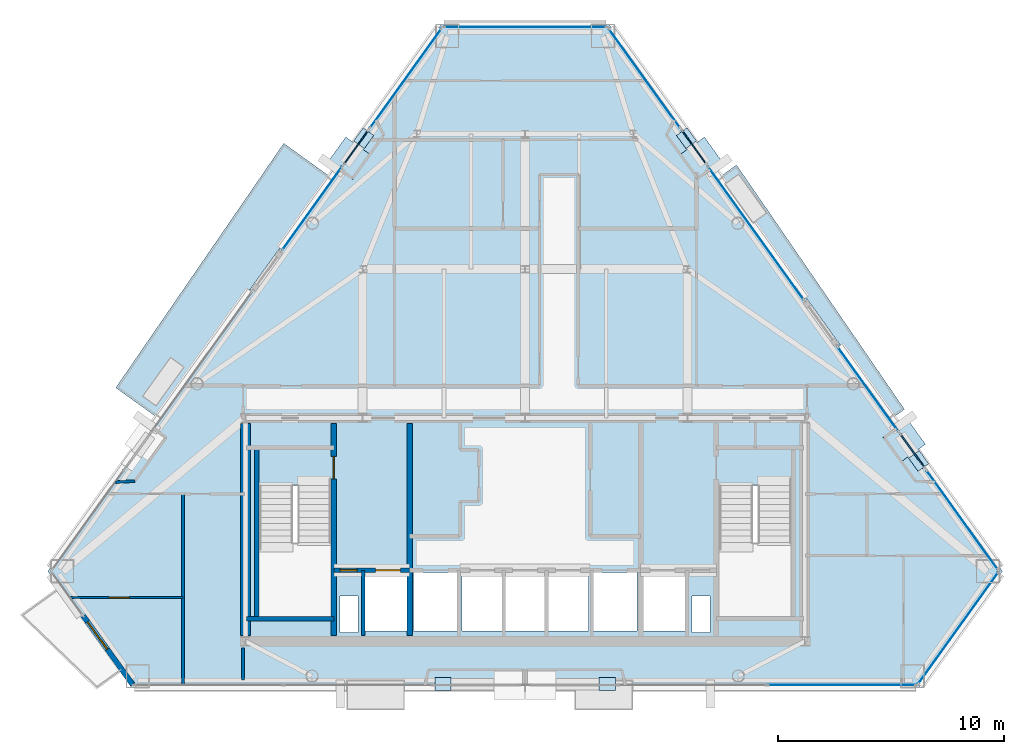
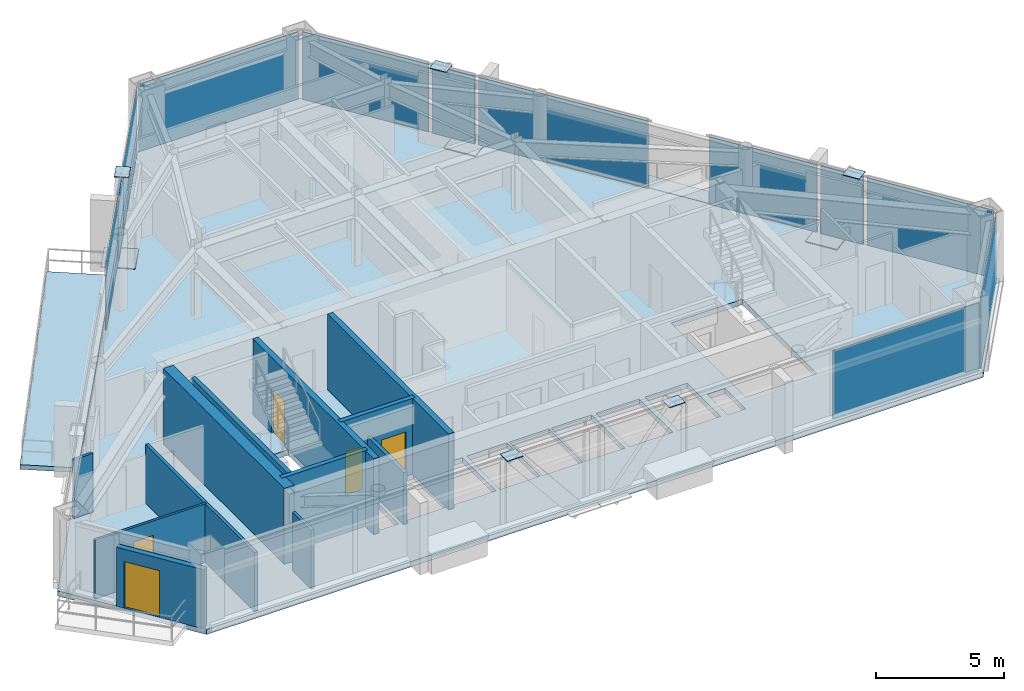
# One storey, part 7 of 12: 20 plates, 12 walls, 5 doors, 3 slabs, 5 openings, 12 elements without a shape of their own.
"""IFC4 building model written with IfcOpenShell, lengths in metres."""

from ifc_helpers import new_model, si_unit, direction, frame, frame_2d, origin, origin_2d, place, context, subcontext, project, spatial, polyline, rectangle, outline, extrude, source, transform, mapped, material, layer, layer_set, type_object, type_shapes, element, fill, aggregate, save


model = new_model("IFC4")

# Units and contexts
model_context = context("Model", 3, precision=1e-05, world=origin(), true_north=direction((0.0, 1.0)))
body_context = subcontext(model_context, "Body", "Model", "MODEL_VIEW")
ifc_project = project(units=[si_unit("LENGTHUNIT", "METRE"), si_unit("AREAUNIT", "SQUARE_METRE"), si_unit("VOLUMEUNIT", "CUBIC_METRE"), si_unit("PLANEANGLEUNIT", "RADIAN"), si_unit("MASSUNIT", "GRAM", prefix="KILO")], contexts=[model_context])

# Site, building, storey
site_placement = place(None, origin())
site = spatial("IfcSite", under=ifc_project, at=site_placement, CompositionType="ELEMENT")
building_placement = place(site_placement, origin())
building = spatial("IfcBuilding", under=site, at=building_placement, Name="Talgorran Terracotta Tower", CompositionType="ELEMENT")
storey_placement = place(building_placement, frame((0.0, 0.0, 189.300048828125)))
storey = spatial("IfcBuildingStorey", under=building, at=storey_placement, Name="L49", CompositionType="ELEMENT", Elevation=189.300048828125)

# Plates
ifc_material_1 = material(Name="Steel Grade 350 (350L0)", Category="steel")
ifc_layer_1 = layer(ifc_material_1, 0.031982421875, Name="PL_CAP_MN07")
ifc_layer_set_1 = layer_set([ifc_layer_1], Name="Steel Grade 350 (350L0)")
plate_type_1 = type_object("IfcPlateType", Name="PL_CAP_MN07", PredefinedType="USERDEFINED", material=ifc_layer_set_1)
for number, where, z_axis, x_axis, name in (
    (1, (-3.646484375, -16.001220703125, 3.32373046875), (0.0, 0.0, 1.0), (-1.0, 0.0, 0.0), "L49 Diagonal Frame End Cap SWF Top"),
    (2, (3.646484375, -16.001220703125, 3.32373046875), (0.0, 0.0, 1.0), (1.0, 0.0, 0.0), "L49 Diagonal Frame End Cap SEF Top"),
    (3, (17.449462890625, -6.1015625, 3.32373046875), (0.0, 0.0, 1.0), (0.583966337286, -0.811777874123, 0.0), "L49 Diagonal Frame End Cap NEL Top"),
    (4, (7.15478515625, 8.208251953125, 3.32373046875), (0.0, 0.0, 1.0), (-0.583966337286, 0.811777874123, 0.0), "L49 Diagonal Frame End Cap NEU Top"),
    (5, (-7.15478515625, 8.208251953125, 3.32373046875), (0.0, 0.0, 1.0), (0.583966337286, 0.811777874123, 0.0), "L49 Diagonal Frame End Cap NWU Top"),
):
    element("IfcPlate", number, at=place(storey_placement, frame(where, z_axis=z_axis, x_axis=x_axis)), inside=storey, type_object=plate_type_1, Name=name, ObjectType="CAP PLATE", PredefinedType="USERDEFINED", context=body_context, shape_type="SweptSolid", body=[
        extrude(rectangle(XDim=0.719970703125, YDim=0.580078125, at=origin_2d()), origin(), (0.0, 0.0, 1.0), 0.031982421875),
    ])
ifc_layer_2 = layer(ifc_material_1, 0.050048828125, Name="PL_NODE_MN03")
ifc_layer_set_2 = layer_set([ifc_layer_2], Name="Steel Grade 350 (350L0)")
plate_type_2 = type_object("IfcPlateType", Name="PL_NODE_MN03", PredefinedType="USERDEFINED", material=ifc_layer_set_2)
for number, where, z_axis, x_axis, name in (
    (6, (16.80810546875, -5.210205078125, -0.01513671875), (0.0, 0.0, 1.0), (0.583966337286, -0.811777874123, 0.0), "L49 Diagonal Frame End Cap NEL Bot"),
    (7, (7.7958984375, 7.31689453125, -0.01513671875), (0.0, 0.0, 1.0), (-0.583966337286, 0.811777874123, 0.0), "L49 Diagonal Frame End Cap NEU Bot"),
    (8, (-7.7958984375, 7.31689453125, -0.01513671875), (0.0, 0.0, 1.0), (0.583966337286, 0.811777874123, 0.0), "L49 Diagonal Frame End Cap NWU Bot"),
):
    element("IfcPlate", number, at=place(storey_placement, frame(where, z_axis=z_axis, x_axis=x_axis)), inside=storey, type_object=plate_type_2, Name=name, ObjectType="NODE PLATE", PredefinedType="USERDEFINED", context=body_context, shape_type="SweptSolid", body=[
        extrude(rectangle(XDim=1.35009765625, YDim=1.35009765625, at=origin_2d()), origin(), (0.0, 0.0, 1.0), 0.050048828125),
    ])

# Slabs
ifc_material_2 = material(Name="Concrete C40/50", Category="concrete")
ifc_layer_3 = layer(ifc_material_2, 0.219970703125, Name="SL_BALCONY_220")
ifc_layer_set_3 = layer_set([ifc_layer_3], Name="Concrete C40/50")
slab_type_1 = type_object("IfcSlabType", Name="SL_BALCONY_220", PredefinedType="FLOOR", material=ifc_layer_set_3)
slab_1_placement = place(storey_placement, frame((0.0, 0.0, -0.219970703125)))
element("IfcSlab", 9, at=slab_1_placement, inside=storey, type_object=slab_type_1, Name="L49 Outdoor Wave Balcony BAL-NE", PredefinedType="FLOOR", context=body_context, shape_type="SweptSolid", body=[
    extrude(outline(polyline([(8.61572265625, 6.477294921875), (16.2919921875, -4.193115234375), (16.819580078125, -3.813720703125), (9.372802734375, 7.02197265625), (8.61572265625, 6.477294921875)])), origin(), (0.0, 0.0, 1.0), 0.219970703125),
])
slab_2_placement = place(storey_placement, frame((0.0, 0.0, -0.219970703125)))
element("IfcSlab", 10, at=slab_2_placement, inside=storey, type_object=slab_type_1, Name="L49 Outdoor Wave Balcony BAL-NW", PredefinedType="FLOOR", context=body_context, shape_type="SweptSolid", body=[
    extrude(outline(polyline([(-16.2919921875, -4.193115234375), (-8.61572265625, 6.477294921875), (-10.7021484375, 7.978271484375), (-18.148681640625, -2.857421875), (-16.2919921875, -4.193115234375)])), origin(), (0.0, 0.0, 1.0), 0.219970703125),
])
ifc_layer_4 = layer(ifc_material_2, 0.25, Name="SL_TOWER_250")
ifc_layer_set_4 = layer_set([ifc_layer_4], Name="Concrete C40/50")
slab_type_2 = type_object("IfcSlabType", Name="SL_TOWER_250", PredefinedType="FLOOR", material=ifc_layer_set_4)
slab_3_placement = place(storey_placement, frame((0.0, 0.0, -0.25)))
element("IfcSlab", 11, at=slab_3_placement, inside=storey, type_object=slab_type_2, Name="Storey L49 Structural Floor Slab", PredefinedType="FLOOR", context=body_context, shape_type="SweptSolid", body=[
    extrude(outline(polyline([(-21.164794921875, -10.9921875), (-17.4462890625, -16.1611328125), (17.4462890625, -16.1611328125), (21.164794921875, -10.9921875), (3.718505859375, 13.2587890625), (-3.718505859375, 13.2587890625), (-21.164794921875, -10.9921875)]), holes=[polyline([(-11.800048828125, -7.199951171875), (-11.800048828125, -13.0), (-8.60009765625, -13.0), (-8.60009765625, -7.199951171875), (-11.800048828125, -7.199951171875)]), polyline([(8.60009765625, -7.199951171875), (8.60009765625, -13.0), (11.800048828125, -13.0), (11.800048828125, -7.199951171875), (8.60009765625, -7.199951171875)]), polyline([(-7.10009765625, -13.64990234375), (-5.199951171875, -13.64990234375), (-5.199951171875, -11.050048828125), (-7.10009765625, -11.050048828125), (-7.10009765625, -13.64990234375)]), polyline([(5.199951171875, -13.64990234375), (7.10009765625, -13.64990234375), (7.10009765625, -11.050048828125), (5.199951171875, -11.050048828125), (5.199951171875, -13.64990234375)]), polyline([(3.0, -13.64990234375), (4.949951171875, -13.64990234375), (4.949951171875, -11.050048828125), (3.0, -11.050048828125), (3.0, -13.64990234375)]), polyline([(-4.949951171875, -13.64990234375), (-3.0, -13.64990234375), (-3.0, -11.050048828125), (-4.949951171875, -11.050048828125), (-4.949951171875, -13.64990234375)]), polyline([(-2.800048828125, -13.64990234375), (-1.0, -13.64990234375), (-1.0, -11.050048828125), (-2.800048828125, -11.050048828125), (-2.800048828125, -13.64990234375)]), polyline([(-0.89990234375, -13.64990234375), (0.89990234375, -13.64990234375), (0.89990234375, -11.050048828125), (-0.89990234375, -11.050048828125), (-0.89990234375, -13.64990234375)]), polyline([(1.0, -13.64990234375), (2.800048828125, -13.64990234375), (2.800048828125, -11.050048828125), (1.0, -11.050048828125), (1.0, -13.64990234375)]), polyline([(-8.199951171875, -13.699951171875), (-7.39990234375, -13.699951171875), (-7.39990234375, -12.10009765625), (-8.199951171875, -12.10009765625), (-8.199951171875, -13.699951171875)]), polyline([(7.39990234375, -13.699951171875), (8.199951171875, -13.699951171875), (8.199951171875, -12.10009765625), (7.39990234375, -12.10009765625), (7.39990234375, -13.699951171875)])]), origin(), (0.0, 0.0, 1.0), 0.25),
])

# Curtain wall, plate
ifc_material_3 = material(Name="High-Wind Unitised Glazing", Category="glass")
ifc_layer_5 = layer(ifc_material_3, 0.2099609375, Name="CW_SYS3_RES_HIGH")
ifc_layer_set_5 = layer_set([ifc_layer_5], Name="High-Wind Unitised Glazing")
curtain_wall_type = type_object("IfcCurtainWallType", Name="CW_SYS3_RES_HIGH", PredefinedType="NOTDEFINED", material=ifc_layer_set_5)
curtain_wall_1_placement = place(storey_placement, origin())
curtain_wall_1 = element("IfcCurtainWall", 12, at=curtain_wall_1_placement, inside=storey, type_object=curtain_wall_type, Name="CW-L49-F1E", PredefinedType="NOTDEFINED")
ifc_material_4 = material(Name="High-Wind Acoustic Vision Glass", Category="glass")
ifc_layer_6 = layer(ifc_material_4, 0.031982421875, Name="PLT_VISION_32")
ifc_layer_set_6 = layer_set([ifc_layer_6], Name="High-Wind Acoustic Vision Glass")
plate_type_3 = type_object("IfcPlateType", Name="PLT_VISION_32", PredefinedType="CURTAIN_PANEL", material=ifc_layer_set_6)
shared_shape_1 = source(origin(), body_context, "Body", "SweptSolid", [
    extrude(rectangle(XDim=6.558349609375, YDim=0.031982421875, at=origin_2d()), origin(), (0.0, 0.0, 1.0), 3.2099609375),
])
plate_1_placement = place(storey_placement, frame((14.03564453125, -16.041015625, 0.070068359375), z_axis=(0.0, 0.0, 1.0), x_axis=(1.0, 0.0, 0.0)))
plate_1 = element("IfcPlate", 13, at=plate_1_placement, type_object=plate_type_3, Name="CW-L49-1E panel 2.1", PredefinedType="CURTAIN_PANEL", context=body_context, shape_type="MappedRepresentation", body=[
    mapped(shared_shape_1, transform((0.0, 0.0, 0.0), scale=1.0)),
])
aggregate(curtain_wall_1, [plate_1])

curtain_wall_2_placement = place(storey_placement, origin())
curtain_wall_2 = element("IfcCurtainWall", 14, at=curtain_wall_2_placement, inside=storey, type_object=curtain_wall_type, Name="CW-L49-F2", PredefinedType="NOTDEFINED")
shared_shape_2 = source(origin(), body_context, "Body", "SweptSolid", [
    extrude(rectangle(XDim=6.079833984375, YDim=0.031982421875, at=origin_2d()), origin(), (0.0, 0.0, 1.0), 3.2099609375),
])
plate_2_placement = place(storey_placement, frame((19.20068359375, -13.5166015625, 0.070068359375), z_axis=(0.0, 0.0, 1.0), x_axis=(0.583978547982, 0.811769090011, 0.0)))
plate_2 = element("IfcPlate", 15, at=plate_2_placement, type_object=plate_type_3, Name="CW-L49-2 panel 1.1", PredefinedType="CURTAIN_PANEL", context=body_context, shape_type="MappedRepresentation", body=[
    mapped(shared_shape_2, transform((0.0, 0.0, 0.0), scale=1.0)),
])
aggregate(curtain_wall_2, [plate_2])

curtain_wall_3_placement = place(storey_placement, origin())
curtain_wall_3 = element("IfcCurtainWall", 16, at=curtain_wall_3_placement, inside=storey, type_object=curtain_wall_type, Name="CW-L49-F40", PredefinedType="NOTDEFINED")
shared_shape_3 = source(origin(), body_context, "Body", "SweptSolid", [
    extrude(rectangle(XDim=5.40234375, YDim=0.031982421875, at=origin_2d()), origin(), (0.0, 0.0, 1.0), 3.2099609375),
])
plate_3_placement = place(storey_placement, frame((19.375244140625, -8.710205078125, 0.070068359375), z_axis=(0.0, 0.0, 1.0), x_axis=(-0.583986215516, 0.811763574008, 0.0)))
plate_3 = element("IfcPlate", 17, at=plate_3_placement, type_object=plate_type_3, Name="CW-L49-40 panel 1.1", PredefinedType="CURTAIN_PANEL", context=body_context, shape_type="MappedRepresentation", body=[
    mapped(shared_shape_3, transform((0.0, 0.0, 0.0), scale=1.0)),
])
aggregate(curtain_wall_3, [plate_3])

curtain_wall_4_placement = place(storey_placement, origin())
curtain_wall_4 = element("IfcCurtainWall", 18, at=curtain_wall_4_placement, inside=storey, type_object=curtain_wall_type, Name="CW-L49-F40B", PredefinedType="NOTDEFINED")
ifc_material_5 = material(Name="Terracotta Insulated Spandrel", Category="masonry")
ifc_layer_7 = layer(ifc_material_5, 0.06494140625, Name="PLT_SPANDREL_TERRA")
ifc_layer_set_7 = layer_set([ifc_layer_7], Name="Terracotta Insulated Spandrel")
plate_type_4 = type_object("IfcPlateType", Name="PLT_SPANDREL_TERRA", PredefinedType="SHEET", material=ifc_layer_set_7)
shared_shape_4 = source(origin(), body_context, "Body", "SweptSolid", [
    extrude(rectangle(XDim=1.8271484375, YDim=0.06494140625, at=origin_2d()), origin(), (0.0, 0.0, 1.0), 3.2099609375),
])
plate_4_placement = place(storey_placement, frame((17.176513671875, -5.654052734375, 0.070068359375), z_axis=(0.0, 0.0, 1.0), x_axis=(-0.583956508581, 0.811784944481, 0.0)))
plate_4 = element("IfcPlate", 19, at=plate_4_placement, type_object=plate_type_4, Name="CW-L49-40B panel 1.1", PredefinedType="CURTAIN_PANEL", context=body_context, shape_type="MappedRepresentation", body=[
    mapped(shared_shape_4, transform((0.0, 0.0, 0.0), scale=1.0)),
])
aggregate(curtain_wall_4, [plate_4])

curtain_wall_5_placement = place(storey_placement, origin())
curtain_wall_5 = element("IfcCurtainWall", 20, at=curtain_wall_5_placement, inside=storey, type_object=curtain_wall_type, Name="CW-L49-F41B", PredefinedType="NOTDEFINED")
plate_5_placement = place(storey_placement, frame((7.492431640625, 7.807373046875, 0.070068359375), z_axis=(0.0, 0.0, 1.0), x_axis=(-0.583956508581, 0.811784944481, 0.0)))
plate_5 = element("IfcPlate", 21, at=plate_5_placement, type_object=plate_type_4, Name="CW-L49-41B panel 1.1", PredefinedType="CURTAIN_PANEL", context=body_context, shape_type="MappedRepresentation", body=[
    mapped(shared_shape_4, transform((0.0, 0.0, 0.0), scale=1.0)),
])
aggregate(curtain_wall_5, [plate_5])

curtain_wall_6_placement = place(storey_placement, origin())
curtain_wall_6 = element("IfcCurtainWall", 22, at=curtain_wall_6_placement, inside=storey, type_object=curtain_wall_type, Name="CW-L49-F40C", PredefinedType="NOTDEFINED")
shared_shape_5 = source(origin(), body_context, "Body", "SweptSolid", [
    extrude(rectangle(XDim=4.605712890625, YDim=0.031982421875, at=origin_2d()), origin(), (0.0, 0.0, 1.0), 3.2099609375),
])
plate_6_placement = place(storey_placement, frame((15.210693359375, -2.921142578125, 0.070068359375), z_axis=(0.0, 0.0, 1.0), x_axis=(-0.583991598785, 0.811759701235, 0.0)))
plate_6 = element("IfcPlate", 23, at=plate_6_placement, type_object=plate_type_3, Name="CW-L49-40C panel 1.1", PredefinedType="CURTAIN_PANEL", context=body_context, shape_type="MappedRepresentation", body=[
    mapped(shared_shape_5, transform((0.0, 0.0, 0.0), scale=1.0)),
])
aggregate(curtain_wall_6, [plate_6])

curtain_wall_7_placement = place(storey_placement, origin())
curtain_wall_7 = element("IfcCurtainWall", 24, at=curtain_wall_7_placement, inside=storey, type_object=curtain_wall_type, Name="CW-L49-F41", PredefinedType="NOTDEFINED")
shared_shape_6 = source(origin(), body_context, "Body", "SweptSolid", [
    extrude(rectangle(XDim=7.25, YDim=0.031982421875, at=origin_2d()), origin(), (0.0, 0.0, 1.0), 3.2099609375),
])
plate_7_placement = place(storey_placement, frame((10.230712890625, 4.00146484375, 0.070068359375), z_axis=(0.0, 0.0, 1.0), x_axis=(-0.58398313669, 0.811765788921, 0.0)))
plate_7 = element("IfcPlate", 25, at=plate_7_placement, type_object=plate_type_3, Name="CW-L49-41 panel 1.1", PredefinedType="CURTAIN_PANEL", context=body_context, shape_type="MappedRepresentation", body=[
    mapped(shared_shape_6, transform((0.0, 0.0, 0.0), scale=1.0)),
])
aggregate(curtain_wall_7, [plate_7])

curtain_wall_8_placement = place(storey_placement, origin())
curtain_wall_8 = element("IfcCurtainWall", 26, at=curtain_wall_8_placement, inside=storey, type_object=curtain_wall_type, Name="CW-L49-F41C", PredefinedType="NOTDEFINED")
shared_shape_7 = source(origin(), body_context, "Body", "SweptSolid", [
    extrude(rectangle(XDim=5.39404296875, YDim=0.031982421875, at=origin_2d()), origin(), (0.0, 0.0, 1.0), 3.2099609375),
])
plate_8_placement = place(storey_placement, frame((5.29638671875, 10.860107421875, 0.070068359375), z_axis=(0.0, 0.0, 1.0), x_axis=(-0.583988598067, 0.811761859986, 0.0)))
plate_8 = element("IfcPlate", 27, at=plate_8_placement, type_object=plate_type_3, Name="CW-L49-41C panel 1.1", PredefinedType="CURTAIN_PANEL", context=body_context, shape_type="MappedRepresentation", body=[
    mapped(shared_shape_7, transform((0.0, 0.0, 0.0), scale=1.0)),
])
aggregate(curtain_wall_8, [plate_8])

curtain_wall_9_placement = place(storey_placement, origin())
curtain_wall_9 = element("IfcCurtainWall", 28, at=curtain_wall_9_placement, inside=storey, type_object=curtain_wall_type, Name="CW-L49-F60", PredefinedType="NOTDEFINED")
plate_9_placement = place(storey_placement, frame((-5.29638671875, 10.860107421875, 0.070068359375), z_axis=(0.0, 0.0, 1.0), x_axis=(-0.583988598067, -0.811761859986, 0.0)))
plate_9 = element("IfcPlate", 29, at=plate_9_placement, type_object=plate_type_3, Name="CW-L49-60 panel 1.1", PredefinedType="CURTAIN_PANEL", context=body_context, shape_type="MappedRepresentation", body=[
    mapped(shared_shape_7, transform((0.0, 0.0, 0.0), scale=1.0)),
])
aggregate(curtain_wall_9, [plate_9])

curtain_wall_10_placement = place(storey_placement, origin())
curtain_wall_10 = element("IfcCurtainWall", 30, at=curtain_wall_10_placement, inside=storey, type_object=curtain_wall_type, Name="CW-L49-F4", PredefinedType="NOTDEFINED")
shared_shape_8 = source(origin(), body_context, "Body", "SweptSolid", [
    extrude(rectangle(XDim=7.17431640625, YDim=0.031982421875, at=origin_2d()), origin(), (0.0, 0.0, 1.0), 3.2099609375),
])
plate_10_placement = place(storey_placement, frame((0.0, 13.138916015625, 0.070068359375), z_axis=(0.0, 0.0, 1.0), x_axis=(-1.0, 0.0, 0.0)))
plate_10 = element("IfcPlate", 31, at=plate_10_placement, type_object=plate_type_3, Name="CW-L49-4 panel 1.1", PredefinedType="CURTAIN_PANEL", context=body_context, shape_type="MappedRepresentation", body=[
    mapped(shared_shape_8, transform((0.0, 0.0, 0.0), scale=1.0)),
])
aggregate(curtain_wall_10, [plate_10])

curtain_wall_11_placement = place(storey_placement, origin())
curtain_wall_11 = element("IfcCurtainWall", 32, at=curtain_wall_11_placement, inside=storey, type_object=curtain_wall_type, Name="CW-L49-F60B", PredefinedType="NOTDEFINED")
shared_shape_9 = source(origin(), body_context, "Body", "SweptSolid", [
    extrude(rectangle(XDim=1.827392578125, YDim=0.06494140625, at=origin_2d()), origin(), (0.0, 0.0, 1.0), 3.2099609375),
])
type_shapes(plate_type_4, [shared_shape_4, shared_shape_9])
plate_11_placement = place(storey_placement, frame((-7.492431640625, 7.807373046875, 0.070068359375), z_axis=(0.0, 0.0, 1.0), x_axis=(-0.583990005039, -0.811760847796, 0.0)))
plate_11 = element("IfcPlate", 33, at=plate_11_placement, type_object=plate_type_4, Name="CW-L49-60B panel 1.1", PredefinedType="CURTAIN_PANEL", context=body_context, shape_type="MappedRepresentation", body=[
    mapped(shared_shape_9, transform((0.0, 0.0, 0.0), scale=1.0)),
])
aggregate(curtain_wall_11, [plate_11])

curtain_wall_12_placement = place(storey_placement, origin())
curtain_wall_12 = element("IfcCurtainWall", 34, at=curtain_wall_12_placement, inside=storey, type_object=curtain_wall_type, Name="CW-L49-F60C", PredefinedType="NOTDEFINED")
shared_shape_10 = source(origin(), body_context, "Body", "SweptSolid", [
    extrude(rectangle(XDim=4.542236328125, YDim=0.031982421875, at=origin_2d()), origin(), (0.0, 0.0, 1.0), 3.2099609375),
])
type_shapes(plate_type_3, [shared_shape_1, shared_shape_2, shared_shape_3, shared_shape_5, shared_shape_6, shared_shape_7, shared_shape_8, shared_shape_10])
plate_12_placement = place(storey_placement, frame((-9.43994140625, 5.100341796875, 0.070068359375), z_axis=(0.0, 0.0, 1.0), x_axis=(-0.583988488421, -0.811761938866, 0.0)))
plate_12 = element("IfcPlate", 35, at=plate_12_placement, type_object=plate_type_3, Name="CW-L49-60C panel 1.1", PredefinedType="CURTAIN_PANEL", context=body_context, shape_type="MappedRepresentation", body=[
    mapped(shared_shape_10, transform((0.0, 0.0, 0.0), scale=1.0)),
])
aggregate(curtain_wall_12, [plate_12])

# Wall, opening, door
ifc_layer_8 = layer(ifc_material_2, 0.239990234375, Name="WT_BALCONY_SPAND")
ifc_layer_set_8 = layer_set([ifc_layer_8], Name="Concrete C40/50")
wall_type_1 = type_object("IfcWallType", Name="WT_BALCONY_SPAND", PredefinedType="STANDARD", material=ifc_layer_set_8)
wall_1_placement = place(storey_placement, frame((-19.589111328125, -12.97705078125, -0.01513671875), z_axis=(0.0, 0.0, 1.0), x_axis=(0.583992964187, -0.811758718943, 0.0)))
wall_1 = element("IfcWall", 36, at=wall_1_placement, inside=storey, type_object=wall_type_1, Name="WL-L49-BALP-BAL-SW", PredefinedType="STANDARD", context=body_context, shape_type="SweptSolid", body=[
    extrude(rectangle(XDim=3.734375, YDim=0.239990234375, at=frame_2d((1.8671875, 0.0))), origin(), (0.0, 0.0, 1.0), 2.80712890625),
])
opening_1_placement = place(wall_1_placement, frame((0.320068359375, 0.0, 0.014892578125)))
opening_1 = element("IfcOpeningElement", 37, at=opening_1_placement, cuts=wall_1, Name="Opening D-BAL-L49-3", PredefinedType="OPENING", context=body_context, shape_type="SweptSolid", body=[
    extrude(rectangle(XDim=1.506, YDim=2.203951171875, at=frame_2d((0.75, 1.10205078125))), frame((0.0, 0.1298828125, 0.0), z_axis=(0.0, -1.0, 0.0), x_axis=(1.0, 0.0, 0.0)), (0.0, 0.0, 1.0), 0.260009765625),
])
ifc_material_6 = material(Name="Thermally Broken Aluminium", Category="aluminium")
door_type_1 = type_object("IfcDoorType", Name="DT_BALC_1500", OperationType="SLIDING_TO_RIGHT", PredefinedType="DOOR", material=ifc_material_6)
door_1_placement = place(opening_1_placement, origin())
door_1 = element("IfcDoor", 38, at=door_1_placement, inside=storey, type_object=door_type_1, Name="DR-L49-BAL-BAL-SW", OperationType="SLIDING_TO_RIGHT", OverallHeight=2.199951171875, OverallWidth=1.5, PredefinedType="DOOR", context=body_context, shape_type="SweptSolid", body=[
    extrude(rectangle(XDim=1.5, YDim=2.199951171875, at=frame_2d((0.75, 1.10009765625))), frame((0.0, 0.02490234375, 0.0), z_axis=(0.0, -1.0, 0.0), x_axis=(1.0, 0.0, 0.0)), (0.0, 0.0, 1.0), 0.050048828125),
])
fill(opening_1, door_1)

# Walls
ifc_material_7 = material(Name="Concrete C50/60", Category="concrete")
ifc_layer_9 = layer(ifc_material_7, 0.199951171875, Name="WT_CORE_200")
ifc_layer_set_9 = layer_set([ifc_layer_9], Name="Concrete C50/60")
wall_type_2 = type_object("IfcWallType", Name="WT_CORE_200", PredefinedType="SOLIDWALL", material=ifc_layer_set_9)
wall_2_placement = place(storey_placement, frame((-12.35009765625, -13.10009765625, 0.0), z_axis=(0.0, 0.0, 1.0), x_axis=(1.0, 0.0, 0.0)))
element("IfcWall", 39, at=wall_2_placement, inside=storey, type_object=wall_type_2, Name="WL-L49-CW-ST1-S", PredefinedType="SOLIDWALL", context=body_context, shape_type="SweptSolid", body=[
    extrude(rectangle(XDim=3.8701171875, YDim=0.199951171875, at=frame_2d((1.93505859375, 0.0))), origin(), (0.0, 0.0, 1.0), 3.599853515625),
])
wall_3_placement = place(storey_placement, frame((-11.89990234375, -13.10009765625, 0.0), z_axis=(0.0, 0.0, 1.0), x_axis=(0.0, 1.0, 0.0)))
element("IfcWall", 40, at=wall_3_placement, inside=storey, type_object=wall_type_2, Name="WL-L49-CW-ST1-W", PredefinedType="SOLIDWALL", context=body_context, shape_type="SweptSolid", body=[
    extrude(rectangle(XDim=7.580078125, YDim=0.199951171875, at=frame_2d((3.7900390625, 0.0))), origin(), (0.0, 0.0, 1.0), 3.599853515625),
])

# Wall, openings, doors
wall_4_placement = place(storey_placement, frame((-8.47998046875, -10.949951171875, 0.0), z_axis=(0.0, 0.0, 1.0), x_axis=(1.0, 0.0, 0.0)))
wall_4 = element("IfcWall", 41, at=wall_4_placement, inside=storey, type_object=wall_type_2, Name="WL-L49-CW-H-SBW", PredefinedType="SOLIDWALL", context=body_context, shape_type="SweptSolid", body=[
    extrude(rectangle(XDim=3.35986328125, YDim=0.199951171875, at=frame_2d((1.679931640625, 0.0))), origin(), (0.0, 0.0, 1.0), 3.599853515625),
])
opening_2_placement = place(wall_4_placement, frame((0.280029296875, 0.0, 0.0)))
opening_2 = element("IfcOpeningElement", 42, at=opening_2_placement, cuts=wall_4, Name="Opening DR-RSW", PredefinedType="OPENING", context=body_context, shape_type="SweptSolid", body=[
    extrude(rectangle(XDim=0.756, YDim=2.054048828125, at=frame_2d((0.375, 1.027099609375))), frame((0.0, 0.10986328125, 0.0), z_axis=(0.0, -1.0, 0.0), x_axis=(1.0, 0.0, 0.0)), (0.0, 0.0, 1.0), 0.219970703125),
])
opening_3_placement = place(wall_4_placement, frame((1.85009765625, 0.0, 0.0)))
opening_3 = element("IfcOpeningElement", 43, at=opening_3_placement, cuts=wall_4, Name="Opening LD-FFL1", PredefinedType="OPENING", context=body_context, shape_type="SweptSolid", body=[
    extrude(rectangle(XDim=1.10609765625, YDim=2.10409765625, at=frame_2d((0.550048828125, 1.052001953125))), frame((0.0, 0.10986328125, 0.0), z_axis=(0.0, -1.0, 0.0), x_axis=(1.0, 0.0, 0.0)), (0.0, 0.0, 1.0), 0.219970703125),
])
ifc_material_8 = material(Name="Brushed Stainless Steel Grade 304", Category="steel")
door_type_2 = type_object("IfcDoorType", Name="DT_LIFT_LD1100", OperationType="DOUBLE_DOOR_SLIDING", PredefinedType="DOOR", material=ifc_material_8)
door_2_placement = place(opening_3_placement, origin())
door_2 = element("IfcDoor", 44, at=door_2_placement, inside=storey, type_object=door_type_2, Name="L49 Lift Landing Door LD-FFL1", OperationType="DOUBLE_DOOR_SLIDING", OverallHeight=2.10009765625, OverallWidth=1.10009765625, PredefinedType="DOOR", context=body_context, shape_type="SweptSolid", body=[
    extrude(rectangle(XDim=1.10009765625, YDim=2.10009765625, at=frame_2d((0.550048828125, 1.050048828125))), frame((0.0, 0.02490234375, 0.0), z_axis=(0.0, -1.0, 0.0), x_axis=(1.0, 0.0, 0.0)), (0.0, 0.0, 1.0), 0.050048828125),
])
fill(opening_3, door_2)
ifc_material_9 = material(Name="Fire-Rated Pressed Steel", Category="steel")
door_type_3 = type_object("IfcDoorType", Name="DT_RISER_750", OperationType="NOTDEFINED", PredefinedType="DOOR", material=ifc_material_9)
door_3_placement = place(opening_2_placement, origin())
door_3 = element("IfcDoor", 45, at=door_3_placement, inside=storey, type_object=door_type_3, Name="DR-RSW", OperationType="SINGLE_SWING_LEFT", OverallHeight=2.050048828125, OverallWidth=0.75, PredefinedType="DOOR", context=body_context, shape_type="SweptSolid", body=[
    extrude(rectangle(XDim=0.75, YDim=2.050048828125, at=frame_2d((0.375, 1.02490234375))), frame((0.0, 0.02490234375, 0.0), z_axis=(0.0, -1.0, 0.0), x_axis=(1.0, 0.0, 0.0)), (0.0, 0.0, 1.0), 0.050048828125),
])
fill(opening_2, door_3)

# Wall, opening, door
ifc_layer_10 = layer(ifc_material_7, 0.25, Name="WT_CORE_250")
ifc_layer_set_10 = layer_set([ifc_layer_10], Name="Concrete C50/60")
wall_type_3 = type_object("IfcWallType", Name="WT_CORE_250", PredefinedType="SHEAR", material=ifc_layer_set_10)
wall_5_placement = place(storey_placement, frame((-8.47998046875, -13.85009765625, 0.0), z_axis=(0.0, 0.0, 1.0), x_axis=(0.0, 1.0, 0.0)))
wall_5 = element("IfcWall", 46, at=wall_5_placement, inside=storey, type_object=wall_type_3, Name="WL-L49-CW-V-W1", PredefinedType="SHEAR", context=body_context, shape_type="SweptSolid", body=[
    extrude(rectangle(XDim=9.400146484375, YDim=0.25, at=frame_2d((4.7001953125, 0.0))), origin(), (0.0, 0.0, 1.0), 3.599853515625),
])
opening_4_placement = place(wall_5_placement, frame((6.949951171875, 0.0, 0.0)))
opening_4 = element("IfcOpeningElement", 47, at=opening_4_placement, cuts=wall_5, Name="Opening DR-ST01", PredefinedType="OPENING", context=body_context, shape_type="SweptSolid", body=[
    extrude(rectangle(XDim=1.006, YDim=2.10409765625, at=frame_2d((0.5, 1.052001953125))), frame((0.0, 0.135009765625, 0.0), z_axis=(0.0, -1.0, 0.0), x_axis=(1.0, 0.0, 0.0)), (0.0, 0.0, 1.0), 0.27001953125),
])
door_type_4 = type_object("IfcDoorType", Name="DT_FIRE_1000", OperationType="NOTDEFINED", PredefinedType="DOOR", material=ifc_material_9)
door_4_placement = place(opening_4_placement, origin())
door_4 = element("IfcDoor", 48, at=door_4_placement, inside=storey, type_object=door_type_4, Name="DR-ST01", OperationType="SINGLE_SWING_LEFT", OverallHeight=2.10009765625, OverallWidth=1.0, PredefinedType="DOOR", context=body_context, shape_type="SweptSolid", body=[
    extrude(rectangle(XDim=1.0, YDim=2.10009765625, at=frame_2d((0.5, 1.050048828125))), frame((0.0, 0.02490234375, 0.0), z_axis=(0.0, -1.0, 0.0), x_axis=(1.0, 0.0, 0.0)), (0.0, 0.0, 1.0), 0.050048828125),
])
fill(opening_4, door_4)

# Walls
wall_6_placement = place(storey_placement, frame((-5.1201171875, -13.85009765625, 0.0), z_axis=(0.0, 0.0, 1.0), x_axis=(0.0, 1.0, 0.0)))
element("IfcWall", 49, at=wall_6_placement, inside=storey, type_object=wall_type_3, Name="WL-L49-CW-V-W2", PredefinedType="SHEAR", context=body_context, shape_type="SweptSolid", body=[
    extrude(rectangle(XDim=9.400146484375, YDim=0.25, at=frame_2d((4.7001953125, 0.0))), origin(), (0.0, 0.0, 1.0), 3.599853515625),
])
ifc_material_10 = material(Name="Concrete C65/80", Category="concrete")
ifc_layer_11 = layer(ifc_material_10, 0.449951171875, Name="WT_CORE_EXT")
ifc_layer_set_11 = layer_set([ifc_layer_11], Name="Concrete C65/80")
wall_type_4 = type_object("IfcWallType", Name="WT_CORE_EXT", PredefinedType="SHEAR", material=ifc_layer_set_11)
wall_7_placement = place(storey_placement, frame((-12.39990234375, -13.85009765625, 0.0), z_axis=(0.0, 0.0, 1.0), x_axis=(0.0, 1.0, 0.0)))
element("IfcWall", 50, at=wall_7_placement, inside=storey, type_object=wall_type_4, Name="WL-L49-CW-OUT-W", PredefinedType="SHEAR", context=body_context, shape_type="SweptSolid", body=[
    extrude(rectangle(XDim=9.400146484375, YDim=0.449951171875, at=frame_2d((4.7001953125, 0.0))), origin(), (0.0, 0.0, 1.0), 3.599853515625),
])

# Wall, opening, door
ifc_material_11 = material(Name="Lightweight Steel Stud Partition", Category="steel")
ifc_layer_12 = layer(ifc_material_11, 0.10498046875, Name="WT_PART_110")
ifc_layer_set_12 = layer_set([ifc_layer_12], Name="Lightweight Steel Stud Partition")
wall_type_5 = type_object("IfcWallType", Name="WT_PART_110", PredefinedType="PARTITIONING", material=ifc_layer_set_12)
wall_8_placement = place(storey_placement, frame((-20.1767578125, -12.159912109375, 0.0), z_axis=(0.0, 0.0, 1.0), x_axis=(1.0, 0.0, 0.0)))
wall_8 = element("IfcWall", 51, at=wall_8_placement, inside=storey, type_object=wall_type_5, Name="WL-L49-W-L49-R17", PredefinedType="PARTITIONING", context=body_context, shape_type="SweptSolid", body=[
    extrude(rectangle(XDim=5.016845703125, YDim=0.10498046875, at=frame_2d((2.50830078125, 0.0))), origin(), (0.0, 0.0, 1.0), 2.7919921875),
])
opening_5_placement = place(wall_8_placement, frame((1.738525390625, 0.0, 0.0)))
opening_5 = element("IfcOpeningElement", 52, at=opening_5_placement, cuts=wall_8, Name="Opening DR-L49-R03", PredefinedType="OPENING", context=body_context, shape_type="SweptSolid", body=[
    extrude(rectangle(XDim=0.8858828125, YDim=2.10409765625, at=frame_2d((0.43994140625, 1.052001953125))), frame((0.0, 0.0625, 0.0), z_axis=(0.0, -1.0, 0.0), x_axis=(1.0, 0.0, 0.0)), (0.0, 0.0, 1.0), 0.125),
])
ifc_material_12 = material(Name="Solid-Core Painted Timber", Category="wood")
door_type_5 = type_object("IfcDoorType", Name="DT_INT_880", OperationType="NOTDEFINED", PredefinedType="DOOR", material=ifc_material_12)
door_5_placement = place(opening_5_placement, origin())
door_5 = element("IfcDoor", 53, at=door_5_placement, inside=storey, type_object=door_type_5, Name="DR-L49-R03", OperationType="SINGLE_SWING_LEFT", OverallHeight=2.10009765625, OverallWidth=0.8798828125, PredefinedType="DOOR", context=body_context, shape_type="SweptSolid", body=[
    extrude(rectangle(XDim=0.8798828125, YDim=2.10009765625, at=frame_2d((0.43994140625, 1.050048828125))), frame((0.0, 0.02490234375, 0.0), z_axis=(0.0, -1.0, 0.0), x_axis=(1.0, 0.0, 0.0)), (0.0, 0.0, 1.0), 0.050048828125),
])
fill(opening_5, door_5)

# Walls
ifc_material_13 = material(Name="Insulated Steel Stud Plasterboard", Category="steel")
ifc_layer_13 = layer(ifc_material_13, 0.1201171875, Name="WT_PART_120")
ifc_layer_set_13 = layer_set([ifc_layer_13], Name="Insulated Steel Stud Plasterboard")
wall_type_6 = type_object("IfcWallType", Name="WT_PART_120", PredefinedType="PARTITIONING", material=ifc_layer_set_13)
wall_9_placement = place(storey_placement, frame((-17.3037109375, -6.994873046875, 0.0), z_axis=(0.0, 0.0, 1.0), x_axis=(-0.998378240711, -0.056928801811, 0.0)))
element("IfcWall", 54, at=wall_9_placement, inside=storey, type_object=wall_type_6, Name="WL-L49-BW-L49-09", PredefinedType="PARTITIONING", context=body_context, shape_type="SweptSolid", body=[
    extrude(rectangle(XDim=0.862060546875, YDim=0.1201171875, at=frame_2d((0.43115234375, 0.0))), origin(), (0.0, 0.0, 1.0), 2.7919921875),
])
ifc_material_14 = material(Name="Moisture-Resistant Stud Wall")
ifc_layer_14 = layer(ifc_material_14, 0.135009765625, Name="WT_PART_135")
ifc_layer_set_14 = layer_set([ifc_layer_14], Name="Moisture-Resistant Stud Wall")
wall_type_7 = type_object("IfcWallType", Name="WT_PART_135", PredefinedType="PARTITIONING", material=ifc_layer_set_14)
wall_10_placement = place(storey_placement, frame((-15.159912109375, -16.041015625, 0.0), z_axis=(0.0, 0.0, 1.0), x_axis=(0.0, 1.0, 0.0)))
element("IfcWall", 55, at=wall_10_placement, inside=storey, type_object=wall_type_7, Name="WL-L49-W-L49-R16", PredefinedType="PARTITIONING", context=body_context, shape_type="SweptSolid", body=[
    extrude(rectangle(XDim=8.48095703125, YDim=0.135009765625, at=frame_2d((4.240478515625, 0.0))), origin(), (0.0, 0.0, 1.0), 2.7919921875),
])
wall_11_placement = place(storey_placement, frame((-12.5, -14.39990234375, 0.0), z_axis=(0.0, 0.0, 1.0), x_axis=(0.0, -1.0, 0.0)))
element("IfcWall", 56, at=wall_11_placement, inside=storey, type_object=wall_type_7, Name="WL-L49-W-L49-R37", PredefinedType="PARTITIONING", context=body_context, shape_type="SweptSolid", body=[
    extrude(rectangle(XDim=1.421142578125, YDim=0.135009765625, at=frame_2d((0.71044921875, 0.0))), origin(), (0.0, 0.0, 1.0), 2.7919921875),
])
ifc_material_15 = material(Name="Fire-Rated Shaftwall")
ifc_layer_15 = layer(ifc_material_15, 0.159912109375, Name="WT_PART_150")
ifc_layer_set_15 = layer_set([ifc_layer_15], Name="Fire-Rated Shaftwall")
wall_type_8 = type_object("IfcWallType", Name="WT_PART_150", PredefinedType="PARTITIONING", material=ifc_layer_set_15)
wall_12_placement = place(storey_placement, frame((-7.179931640625, -13.85009765625, 0.0), z_axis=(0.0, 0.0, 1.0), x_axis=(0.0, 1.0, 0.0)))
element("IfcWall", 57, at=wall_12_placement, inside=storey, type_object=wall_type_8, Name="WL-L49-CW-RSW", PredefinedType="PARTITIONING", context=body_context, shape_type="SweptSolid", body=[
    extrude(rectangle(XDim=2.900146484375, YDim=0.159912109375, at=frame_2d((1.4501953125, 0.0))), origin(), (0.0, 0.0, 1.0), 2.474853515625),
])

save(model, "model.ifc")
